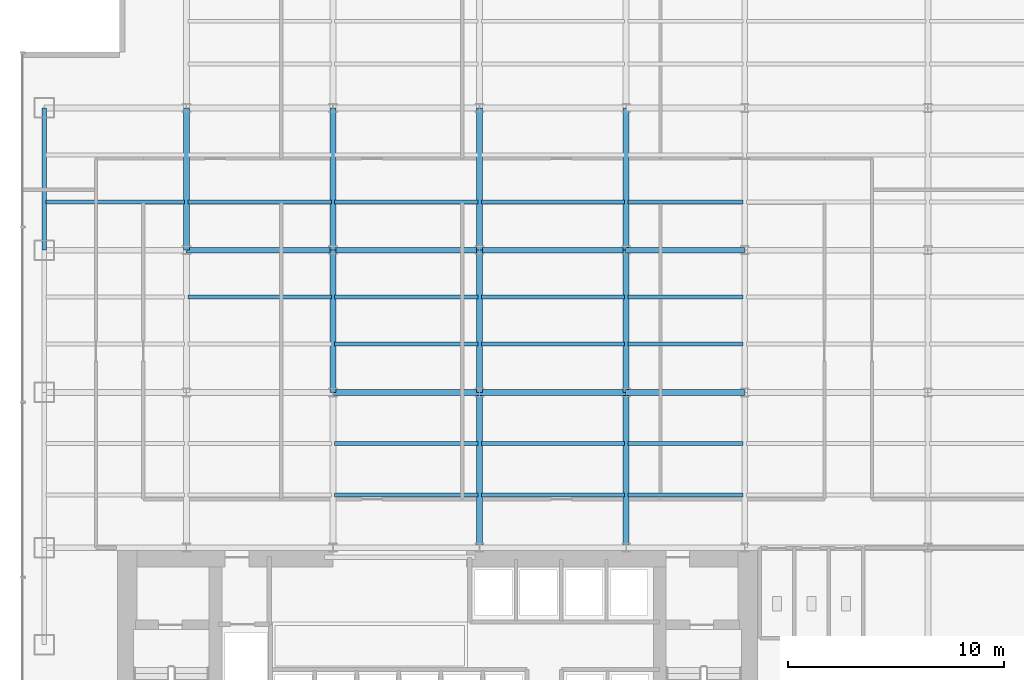
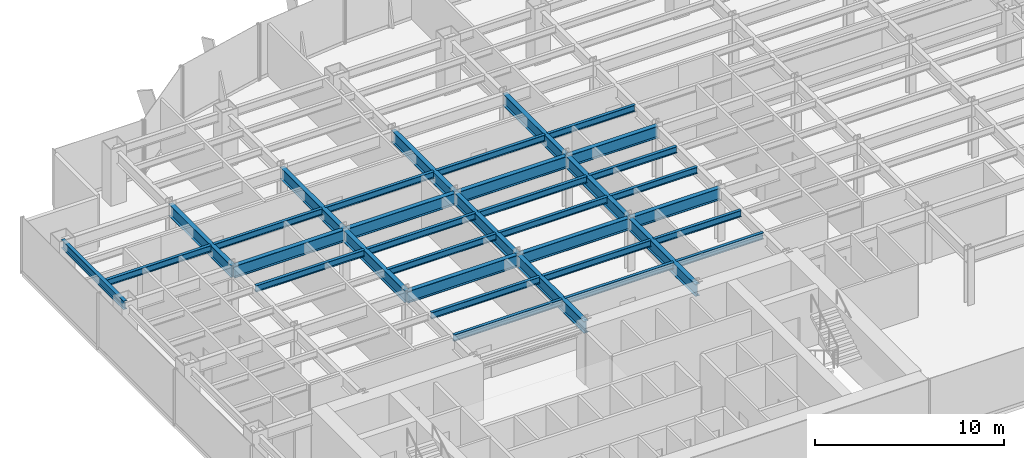
# One storey, part 5 of 22: 35 beams.
"""IFC4 building model written with IfcOpenShell, lengths in metres."""

import ifcopenshell
import ifcopenshell.guid

model = None  # the IFC model being written
_history = None  # IfcOwnerHistory: only IFC2X3 demands one
_inside = {}  # id of a spatial element -> (the spatial element, [elements in it])
_under = {}  # id of a project, library or spatial element -> (it, [spatial elements below it])
_declared = {}  # id of a project -> (the project, [libraries it declares])
_typed = {}  # id of a type object -> (the type object, [elements of that type])
_made_of = {}  # id of a material, layer set ... -> (it, [elements and type objects made of it])


def new_model(schema):
    """Start an empty IFC model of exactly this schema.

    Asked for "IFC4X3", IfcOpenShell would pick the latest addendum, in which some entities
    have other attributes; the version numbers below select the first issue.
    IFC2X3 requires an IfcOwnerHistory on every rooted entity: one is made here for all.
    """
    global model, _history
    if schema == "IFC4X3":
        model = ifcopenshell.file(schema_version=(4, 3, 0, 0))
    else:
        model = ifcopenshell.file(schema=schema)
    _inside.clear()
    _under.clear()
    _declared.clear()
    _typed.clear()
    _made_of.clear()
    _history = None
    if model.schema == "IFC2X3":
        org = make("IfcOrganization", Name="unknown")
        user = make(
            "IfcPersonAndOrganization",
            ThePerson=make("IfcPerson", FamilyName="unknown"),
            TheOrganization=org,
        )
        app = make(
            "IfcApplication",
            ApplicationDeveloper=org,
            Version="unknown",
            ApplicationFullName="unknown",
            ApplicationIdentifier="unknown",
        )
        _history = make(
            "IfcOwnerHistory",
            OwningUser=user,
            OwningApplication=app,
            ChangeAction="ADDED",
            CreationDate=0,
        )
    return model


def make(cls, **values):
    """One entity of the class cls with the attributes given. An attribute that is None is left unset."""
    return model.create_entity(
        cls, **{name: value for name, value in values.items() if value is not None}
    )


def rooted(cls, **values):
    """An entity with a GlobalId (a new one), such as an element, a storey or a relation."""
    return make(cls, GlobalId=ifcopenshell.guid.new(), OwnerHistory=_history, **values)


def si_unit(unit_type, name, prefix=None):
    """IfcSIUnit, for example si_unit("LENGTHUNIT", "METRE", prefix="MILLI")."""
    return make("IfcSIUnit", UnitType=unit_type, Prefix=prefix, Name=name)


def derived_unit(unit_type, elements):
    """IfcDerivedUnit: a product of units, each with its exponent."""
    return make(
        "IfcDerivedUnit",
        Elements=[
            make("IfcDerivedUnitElement", Unit=unit, Exponent=power)
            for unit, power in elements
        ],
        UnitType=unit_type,
    )


def assignment(units):
    """IfcUnitAssignment: the units of a project."""
    return None if units is None else make("IfcUnitAssignment", Units=units)


def point(xyz):
    """IfcCartesianPoint."""
    return None if xyz is None else make("IfcCartesianPoint", Coordinates=xyz)


def direction(xyz):
    """IfcDirection."""
    return None if xyz is None else make("IfcDirection", DirectionRatios=xyz)


def frame(location, z_axis=None, x_axis=None):
    """IfcAxis2Placement3D, a coordinate frame: its origin and axes. An axis left out is left unset."""
    return make(
        "IfcAxis2Placement3D",
        Location=point(location),
        Axis=direction(z_axis),
        RefDirection=direction(x_axis),
    )


def frame_2d(location, x_axis=None):
    """IfcAxis2Placement2D, a coordinate frame in the plane: its origin and x axis."""
    return make(
        "IfcAxis2Placement2D", Location=point(location), RefDirection=direction(x_axis)
    )


def origin():
    """The frame at (0, 0, 0) with its axes left unset."""
    return frame((0.0, 0.0, 0.0))


def origin_2d():
    """The frame at (0, 0) in the plane with its x axis left unset."""
    return frame_2d((0.0, 0.0))


def place(relative_to, where):
    """IfcLocalPlacement: puts the frame where relative to a parent placement (None: the world)."""
    return make(
        "IfcLocalPlacement", PlacementRelTo=relative_to, RelativePlacement=where
    )


def context(
    kind, dimensions, precision=None, world=None, true_north=None, identifier=None
):
    """IfcGeometricRepresentationContext, for example the 3D "Model" context."""
    return make(
        "IfcGeometricRepresentationContext",
        ContextIdentifier=identifier,
        ContextType=kind,
        CoordinateSpaceDimension=dimensions,
        Precision=precision,
        WorldCoordinateSystem=world,
        TrueNorth=true_north,
    )


def subcontext(parent, identifier, kind, view, scale=None):
    """IfcGeometricRepresentationSubContext, for example "Body" below "Model"."""
    return make(
        "IfcGeometricRepresentationSubContext",
        ContextIdentifier=identifier,
        ContextType=kind,
        ParentContext=parent,
        TargetScale=scale,
        TargetView=view,
    )


def project(units=None, contexts=None):
    """IfcProject with its units and contexts."""
    return rooted(
        "IfcProject",
        Name="project",
        RepresentationContexts=contexts,
        UnitsInContext=assignment(units),
    )


def spatial(cls, under=None, at=None, **own):
    """A site, building, storey or space (cls), placed at a placement, below another one or the project."""
    s = rooted(cls, ObjectPlacement=at, **own)
    if under is not None:
        _under.setdefault(under.id(), (under, []))[1].append(s)
    return s


def profile(cls, at=None, kind="AREA", **sizes):
    """A parametric profile (cls). Its sizes go by their IFC names, for example OverallWidth=200.0."""
    return make(cls, ProfileType=kind, Position=at, **sizes)


def i_section(**sizes):
    """IfcIShapeProfileDef."""
    return profile("IfcIShapeProfileDef", **sizes)


def extrude(swept, where, along, depth):
    """IfcExtrudedAreaSolid: the profile swept, set in the frame where, extruded along a direction by depth."""
    return make(
        "IfcExtrudedAreaSolid",
        SweptArea=swept,
        Position=where,
        ExtrudedDirection=direction(along),
        Depth=depth,
    )


def shape(context_of_items, identifier, shape_type, items):
    """IfcShapeRepresentation: the items that make up one representation, for example the "Body"."""
    return make(
        "IfcShapeRepresentation",
        ContextOfItems=context_of_items,
        RepresentationIdentifier=identifier,
        RepresentationType=shape_type,
        Items=items,
    )


def source(mapping_origin, context_of_items, identifier, shape_type, items):
    """IfcRepresentationMap: a shape defined once, which mapped items show again and again."""
    return make(
        "IfcRepresentationMap",
        MappingOrigin=mapping_origin,
        MappedRepresentation=shape(context_of_items, identifier, shape_type, items),
    )


def transform(
    local_origin,
    x_axis=None,
    y_axis=None,
    z_axis=None,
    scale=None,
    scale2=None,
    scale3=None,
    uniform=True,
):
    """IfcCartesianTransformationOperator3D, or its non-uniform kind. x_axis, y_axis, z_axis: its Axis1, 2, 3."""
    if uniform:
        return make(
            "IfcCartesianTransformationOperator3D",
            Axis1=direction(x_axis),
            Axis2=direction(y_axis),
            LocalOrigin=point(local_origin),
            Scale=scale,
            Axis3=direction(z_axis),
        )
    return make(
        "IfcCartesianTransformationOperator3DnonUniform",
        Axis1=direction(x_axis),
        Axis2=direction(y_axis),
        LocalOrigin=point(local_origin),
        Scale=scale,
        Axis3=direction(z_axis),
        Scale2=scale2,
        Scale3=scale3,
    )


def mapped(mapping_source, mapping_target):
    """IfcMappedItem: shows the shape of a source again, moved by a transform."""
    return make(
        "IfcMappedItem", MappingSource=mapping_source, MappingTarget=mapping_target
    )


def material(Name=None, Category=None):
    """IfcMaterial."""
    return make("IfcMaterial", Name=Name, Category=Category)


def material_profile(
    of_material, cross_section, Name=None, Category=None, Priority=None
):
    """IfcMaterialProfile: a cross section and its material."""
    return make(
        "IfcMaterialProfile",
        Name=Name,
        Material=of_material,
        Profile=cross_section,
        Priority=Priority,
        Category=Category,
    )


def profile_set(profiles, Name=None, composite=None):
    """IfcMaterialProfileSet."""
    return make(
        "IfcMaterialProfileSet",
        Name=Name,
        MaterialProfiles=profiles,
        CompositeProfile=composite,
    )


def made_of(thing, what):
    """Note that an element or type object is made of a material, layer set ...; save() writes the relation."""
    if what is not None:
        _made_of.setdefault(what.id(), (what, []))[1].append(thing)
    return thing


def type_object(cls, material=None, **own):
    """A type object (cls), such as IfcWallType, which elements share."""
    return made_of(rooted(cls, **own), material)


def element(
    cls,
    number,
    at=None,
    inside=None,
    cuts=None,
    type_object=None,
    material=None,
    context=None,
    identifier="Body",
    shape_type=None,
    held_by="IfcProductDefinitionShape",
    body=None,
    shapes=None,
    **own,
):
    """One element of the class cls, such as IfcWall. Its Tag is "e" and its number.

    at: its placement. inside: the storey or other place that contains it. cuts: it is an
    opening in that element (IfcRelVoidsElement). A single representation is given by context,
    identifier, shape_type and body (its items); several are given by shapes. held_by: the class
    of the entity that holds the representations. save() writes the other relations.
    """
    e = rooted(cls, Tag="e%d" % number, ObjectPlacement=at, **own)
    if body is not None:
        shapes = [shape(context, identifier, shape_type, body)]
    if shapes is not None:
        e.Representation = make(held_by, Representations=shapes)
    if inside is not None:
        _inside.setdefault(inside.id(), (inside, []))[1].append(e)
    if cuts is not None:
        rooted(
            "IfcRelVoidsElement", RelatingBuildingElement=cuts, RelatedOpeningElement=e
        )
    if type_object is not None:
        _typed.setdefault(type_object.id(), (type_object, []))[1].append(e)
    return made_of(e, material)


def aggregate(whole, parts):
    """IfcRelAggregates: a whole, such as a stair, and the parts it consists of."""
    return rooted("IfcRelAggregates", RelatingObject=whole, RelatedObjects=parts)


def save(model, path):
    """Write the relations noted so far, then the file.

    IfcRelAggregates (storeys below a building ...), IfcRelContainedInSpatialStructure (elements
    in a storey), IfcRelDefinesByType, IfcRelAssociatesMaterial and IfcRelDeclares: one each for
    every whole, place, type object, material and project.
    """
    for whole, parts in _under.values():
        aggregate(whole, parts)
    for where, things in _inside.values():
        rooted(
            "IfcRelContainedInSpatialStructure",
            RelatedElements=things,
            RelatingStructure=where,
        )
    for kind, things in _typed.values():
        rooted("IfcRelDefinesByType", RelatedObjects=things, RelatingType=kind)
    for what, things in _made_of.values():
        rooted("IfcRelAssociatesMaterial", RelatedObjects=things, RelatingMaterial=what)
    for by, libraries in _declared.values():
        rooted("IfcRelDeclares", RelatingContext=by, RelatedDefinitions=libraries)
    model.write(path)


model = new_model("IFC4")

# Units and contexts
model_context = context("Model", 3, precision=1e-05, world=origin(), true_north=direction((0.0, 1.0)))
body_context = subcontext(model_context, "Body", "Model", "MODEL_VIEW")
ifc_project = project(units=[si_unit("LENGTHUNIT", "METRE"), si_unit("AREAUNIT", "SQUARE_METRE"), si_unit("VOLUMEUNIT", "CUBIC_METRE"), si_unit("PLANEANGLEUNIT", "RADIAN"), si_unit("MASSUNIT", "GRAM", prefix="KILO"), derived_unit("THERMALTRANSMITTANCEUNIT", [(si_unit("POWERUNIT", "WATT"), 1), (si_unit("LENGTHUNIT", "METRE"), -2), (si_unit("THERMODYNAMICTEMPERATUREUNIT", "KELVIN"), -1)])], contexts=[model_context])

# Site, building, storey
site_placement = place(None, origin())
site = spatial("IfcSite", under=ifc_project, at=site_placement, CompositionType="ELEMENT")
building_placement = place(site_placement, origin())
building = spatial("IfcBuilding", under=site, at=building_placement, Name="Skarnbrae Concourse Arena and Tower", CompositionType="ELEMENT")
storey_placement = place(building_placement, frame((0.0, 0.0, 65.35009765625)))
storey = spatial("IfcBuildingStorey", under=building, at=storey_placement, Name="L15", CompositionType="ELEMENT", Elevation=65.35009765625)

# Beams
ifc_material = material(Name="Steel CSA G40.21 350W", Category="steel")
ifc_material_profile_1 = material_profile(ifc_material, i_section(OverallWidth=0.26806640625, OverallDepth=0.77001953125, WebThickness=0.015625, FlangeThickness=0.025390625, at=origin_2d()), Name="W760X196")
ifc_profile_set_1 = profile_set([ifc_material_profile_1], Name="Steel CSA G40.21 350W")
beam_type_1 = type_object("IfcBeamType", Name="BM-GIRD-W760X196", PredefinedType="BEAM", material=ifc_profile_set_1)
shared_shape_1 = source(origin(), body_context, "Body", "SweptSolid", [
    extrude(i_section(OverallWidth=0.26806640625, OverallDepth=0.77001953125, WebThickness=0.015625, FlangeThickness=0.025390625, at=origin_2d()), origin(), (0.0, 0.0, 1.0), 6.60009765625),
])
for number, where, z_axis, x_axis, name in (
    (1, (14.39990234375, 21.199951171875, 3.014892578125), (0.0, 1.0, 0.0), (-1.0, 0.0, 0.0), "L15 Primary N-S girder X14.4-2"),
    (2, (21.199951171875, 21.199951171875, 3.014892578125), (0.0, 1.0, 0.0), (-1.0, 0.0, 0.0), "L15 Primary N-S girder X21.2-2"),
    (3, (28.0, 21.199951171875, 3.014892578125), (0.0, 1.0, 0.0), (-1.0, 0.0, 0.0), "L15 Primary N-S girder X28.0-2"),
):
    element("IfcBeam", number, at=place(storey_placement, frame(where, z_axis=z_axis, x_axis=x_axis)), inside=storey, type_object=beam_type_1, Name=name, PredefinedType="BEAM", context=body_context, shape_type="MappedRepresentation", body=[
        mapped(shared_shape_1, transform((0.0, 0.0, 0.0))),
    ])
shared_shape_2 = source(origin(), body_context, "Body", "SweptSolid", [
    extrude(i_section(OverallWidth=0.26806640625, OverallDepth=0.77001953125, WebThickness=0.015625, FlangeThickness=0.025390625, at=origin_2d()), origin(), (0.0, 0.0, 1.0), 6.7998046875),
])
beam_1_placement = place(storey_placement, frame((7.60009765625, 27.800048828125, 3.014892578125), z_axis=(1.0, 0.0, 0.0), x_axis=(0.0, 1.0, 0.0)))
element("IfcBeam", 4, at=beam_1_placement, inside=storey, type_object=beam_type_1, Name="L15 Primary E-W girder Y27.8-2", PredefinedType="BEAM", context=body_context, shape_type="MappedRepresentation", body=[
    mapped(shared_shape_2, transform((0.0, 0.0, 0.0))),
])
shared_shape_3 = source(origin(), body_context, "Body", "SweptSolid", [
    extrude(i_section(OverallWidth=0.26806640625, OverallDepth=0.77001953125, WebThickness=0.015625, FlangeThickness=0.025390625, at=origin_2d()), origin(), (0.0, 0.0, 1.0), 6.800048828125),
])
for number, where, z_axis, x_axis, name in (
    (5, (14.39990234375, 21.199951171875, 3.014892578125), (1.0, 0.0, 0.0), (0.0, 1.0, 0.0), "L15 Primary E-W girder Y21.2-3"),
    (6, (21.199951171875, 21.199951171875, 3.014892578125), (1.0, 0.0, 0.0), (0.0, 1.0, 0.0), "L15 Primary E-W girder Y21.2-4"),
    (7, (14.39990234375, 27.800048828125, 3.014892578125), (1.0, 0.0, 0.0), (0.0, 1.0, 0.0), "L15 Primary E-W girder Y27.8-3"),
    (8, (21.199951171875, 27.800048828125, 3.014892578125), (1.0, 0.0, 0.0), (0.0, 1.0, 0.0), "L15 Primary E-W girder Y27.8-4"),
):
    element("IfcBeam", number, at=place(storey_placement, frame(where, z_axis=z_axis, x_axis=x_axis)), inside=storey, type_object=beam_type_1, Name=name, PredefinedType="BEAM", context=body_context, shape_type="MappedRepresentation", body=[
        mapped(shared_shape_3, transform((0.0, 0.0, 0.0))),
    ])
shared_shape_4 = source(origin(), body_context, "Body", "SweptSolid", [
    extrude(i_section(OverallWidth=0.26806640625, OverallDepth=0.77001953125, WebThickness=0.015625, FlangeThickness=0.025390625, at=origin_2d()), origin(), (0.0, 0.0, 1.0), 5.5),
])
for number, where, z_axis, x_axis, name in (
    (9, (28.0, 21.199951171875, 3.014892578125), (1.0, 0.0, 0.0), (0.0, 1.0, 0.0), "L15 Primary E-W girder Y21.2-5"),
    (10, (28.0, 27.800048828125, 3.014892578125), (1.0, 0.0, 0.0), (0.0, 1.0, 0.0), "L15 Primary E-W girder Y27.8-5"),
):
    element("IfcBeam", number, at=place(storey_placement, frame(where, z_axis=z_axis, x_axis=x_axis)), inside=storey, type_object=beam_type_1, Name=name, PredefinedType="BEAM", context=body_context, shape_type="MappedRepresentation", body=[
        mapped(shared_shape_4, transform((0.0, 0.0, 0.0))),
    ])
ifc_material_profile_2 = material_profile(ifc_material, i_section(OverallWidth=0.214111328125, OverallDepth=0.549072265625, WebThickness=0.0146484375, FlangeThickness=0.023681640625, at=origin_2d()), Name="W530X138")
ifc_profile_set_2 = profile_set([ifc_material_profile_2], Name="Steel CSA G40.21 350W")
beam_type_2 = type_object("IfcBeamType", Name="BM-SPAN-W530X138", PredefinedType="SPANDREL", material=ifc_profile_set_2)
shared_shape_5 = source(origin(), body_context, "Body", "SweptSolid", [
    extrude(i_section(OverallWidth=0.214111328125, OverallDepth=0.549072265625, WebThickness=0.0146484375, FlangeThickness=0.023681640625, at=origin_2d()), origin(), (0.0, 0.0, 1.0), 6.599853515625),
])
beam_2_placement = place(storey_placement, frame((1.0, 27.800048828125, 3.12548828125), z_axis=(0.0, 1.0, 0.0), x_axis=(-1.0, 0.0, 0.0)))
element("IfcBeam", 11, at=beam_2_placement, inside=storey, type_object=beam_type_2, Name="L15 Perimeter spandrel X1.0-4", PredefinedType="SPANDREL", context=body_context, shape_type="MappedRepresentation", body=[
    mapped(shared_shape_5, transform((0.0, 0.0, 0.0))),
])
shared_shape_6 = source(origin(), body_context, "Body", "SweptSolid", [
    extrude(i_section(OverallWidth=0.26806640625, OverallDepth=0.77001953125, WebThickness=0.015625, FlangeThickness=0.025390625, at=origin_2d()), origin(), (0.0, 0.0, 1.0), 7.199951171875),
])
for number, where, z_axis, x_axis, name in (
    (12, (21.199951171875, 14.0, 3.014892578125), (0.0, 1.0, 0.0), (-1.0, 0.0, 0.0), "L15 Primary N-S girder X21.2-1"),
    (13, (28.0, 14.0, 3.014892578125), (0.0, 1.0, 0.0), (-1.0, 0.0, 0.0), "L15 Primary N-S girder X28.0-1"),
):
    element("IfcBeam", number, at=place(storey_placement, frame(where, z_axis=z_axis, x_axis=x_axis)), inside=storey, type_object=beam_type_1, Name=name, PredefinedType="BEAM", context=body_context, shape_type="MappedRepresentation", body=[
        mapped(shared_shape_6, transform((0.0, 0.0, 0.0))),
    ])
shared_shape_7 = source(origin(), body_context, "Body", "SweptSolid", [
    extrude(i_section(OverallWidth=0.26806640625, OverallDepth=0.77001953125, WebThickness=0.015625, FlangeThickness=0.025390625, at=origin_2d()), origin(), (0.0, 0.0, 1.0), 6.599853515625),
])
for number, where, z_axis, x_axis, name in (
    (14, (7.60009765625, 27.800048828125, 3.014892578125), (0.0, 1.0, 0.0), (-1.0, 0.0, 0.0), "L15 Primary N-S girder X7.6-3"),
    (15, (14.39990234375, 27.800048828125, 3.014892578125), (0.0, 1.0, 0.0), (-1.0, 0.0, 0.0), "L15 Primary N-S girder X14.4-3"),
    (16, (21.199951171875, 27.800048828125, 3.014892578125), (0.0, 1.0, 0.0), (-1.0, 0.0, 0.0), "L15 Primary N-S girder X21.2-3"),
    (17, (28.0, 27.800048828125, 3.014892578125), (0.0, 1.0, 0.0), (-1.0, 0.0, 0.0), "L15 Primary N-S girder X28.0-3"),
):
    element("IfcBeam", number, at=place(storey_placement, frame(where, z_axis=z_axis, x_axis=x_axis)), inside=storey, type_object=beam_type_1, Name=name, PredefinedType="BEAM", context=body_context, shape_type="MappedRepresentation", body=[
        mapped(shared_shape_7, transform((0.0, 0.0, 0.0))),
    ])
ifc_material_profile_3 = material_profile(ifc_material, i_section(OverallWidth=0.180908203125, OverallDepth=0.4169921875, WebThickness=0.010986328125, FlangeThickness=0.018310546875, at=origin_2d()), Name="W410X85")
ifc_profile_set_3 = profile_set([ifc_material_profile_3], Name="Steel CSA G40.21 350W")
beam_type_3 = type_object("IfcBeamType", Name="BM-JOIST-W410X85", PredefinedType="JOIST", material=ifc_profile_set_3)
shared_shape_8 = source(origin(), body_context, "Body", "SweptSolid", [
    extrude(i_section(OverallWidth=0.180908203125, OverallDepth=0.4169921875, WebThickness=0.010986328125, FlangeThickness=0.018310546875, at=origin_2d()), origin(), (0.0, 0.0, 1.0), 6.43994140625),
])
beam_3_placement = place(storey_placement, frame((1.080078125, 30.0439453125, 3.19140625), z_axis=(1.0, 0.0, 0.0), x_axis=(0.0, 1.0, 0.0)))
element("IfcBeam", 18, at=beam_3_placement, inside=storey, type_object=beam_type_3, Name="L15 Secondary floor joist 3.1.1", PredefinedType="JOIST", context=body_context, shape_type="MappedRepresentation", body=[
    mapped(shared_shape_8, transform((0.0, 0.0, 0.0))),
])
shared_shape_9 = source(origin(), body_context, "Body", "SweptSolid", [
    extrude(i_section(OverallWidth=0.180908203125, OverallDepth=0.4169921875, WebThickness=0.010986328125, FlangeThickness=0.018310546875, at=origin_2d()), origin(), (0.0, 0.0, 1.0), 6.64013671875),
])
for number, where, z_axis, x_axis, name in (
    (19, (14.47998046875, 16.447998046875, 3.19140625), (1.0, 0.0, 0.0), (0.0, 1.0, 0.0), "L15 Secondary floor joist 1.1.3"),
    (20, (14.47998046875, 18.823974609375, 3.19140625), (1.0, 0.0, 0.0), (0.0, 1.0, 0.0), "L15 Secondary floor joist 1.2.3"),
    (21, (14.47998046875, 23.444091796875, 3.19140625), (1.0, 0.0, 0.0), (0.0, 1.0, 0.0), "L15 Secondary floor joist 2.1.3"),
    (22, (7.679931640625, 25.6220703125, 3.19140625), (1.0, 0.0, 0.0), (0.0, 1.0, 0.0), "L15 Secondary floor joist 2.2.2"),
    (23, (14.47998046875, 25.6220703125, 3.19140625), (1.0, 0.0, 0.0), (0.0, 1.0, 0.0), "L15 Secondary floor joist 2.2.3"),
    (24, (7.679931640625, 30.0439453125, 3.19140625), (1.0, 0.0, 0.0), (0.0, 1.0, 0.0), "L15 Secondary floor joist 3.1.2"),
    (25, (14.47998046875, 30.0439453125, 3.19140625), (1.0, 0.0, 0.0), (0.0, 1.0, 0.0), "L15 Secondary floor joist 3.1.3"),
):
    element("IfcBeam", number, at=place(storey_placement, frame(where, z_axis=z_axis, x_axis=x_axis)), inside=storey, type_object=beam_type_3, Name=name, PredefinedType="JOIST", context=body_context, shape_type="MappedRepresentation", body=[
        mapped(shared_shape_9, transform((0.0, 0.0, 0.0))),
    ])
shared_shape_10 = source(origin(), body_context, "Body", "SweptSolid", [
    extrude(i_section(OverallWidth=0.180908203125, OverallDepth=0.4169921875, WebThickness=0.010986328125, FlangeThickness=0.018310546875, at=origin_2d()), origin(), (0.0, 0.0, 1.0), 6.639892578125),
])
for number, where, z_axis, x_axis, name in (
    (26, (21.280029296875, 16.447998046875, 3.19140625), (1.0, 0.0, 0.0), (0.0, 1.0, 0.0), "L15 Secondary floor joist 1.1.4"),
    (27, (21.280029296875, 18.823974609375, 3.19140625), (1.0, 0.0, 0.0), (0.0, 1.0, 0.0), "L15 Secondary floor joist 1.2.4"),
    (28, (21.280029296875, 23.444091796875, 3.19140625), (1.0, 0.0, 0.0), (0.0, 1.0, 0.0), "L15 Secondary floor joist 2.1.4"),
    (29, (21.280029296875, 25.6220703125, 3.19140625), (1.0, 0.0, 0.0), (0.0, 1.0, 0.0), "L15 Secondary floor joist 2.2.4"),
    (30, (21.280029296875, 30.0439453125, 3.19140625), (1.0, 0.0, 0.0), (0.0, 1.0, 0.0), "L15 Secondary floor joist 3.1.4"),
):
    element("IfcBeam", number, at=place(storey_placement, frame(where, z_axis=z_axis, x_axis=x_axis)), inside=storey, type_object=beam_type_3, Name=name, PredefinedType="JOIST", context=body_context, shape_type="MappedRepresentation", body=[
        mapped(shared_shape_10, transform((0.0, 0.0, 0.0))),
    ])
shared_shape_11 = source(origin(), body_context, "Body", "SweptSolid", [
    extrude(i_section(OverallWidth=0.180908203125, OverallDepth=0.4169921875, WebThickness=0.010986328125, FlangeThickness=0.018310546875, at=origin_2d()), origin(), (0.0, 0.0, 1.0), 5.33984375),
])
for number, where, z_axis, x_axis, name in (
    (31, (28.080078125, 16.447998046875, 3.19140625), (1.0, 0.0, 0.0), (0.0, 1.0, 0.0), "L15 Secondary floor joist 1.1.5"),
    (32, (28.080078125, 18.823974609375, 3.19140625), (1.0, 0.0, 0.0), (0.0, 1.0, 0.0), "L15 Secondary floor joist 1.2.5"),
    (33, (28.080078125, 23.444091796875, 3.19140625), (1.0, 0.0, 0.0), (0.0, 1.0, 0.0), "L15 Secondary floor joist 2.1.5"),
    (34, (28.080078125, 25.6220703125, 3.19140625), (1.0, 0.0, 0.0), (0.0, 1.0, 0.0), "L15 Secondary floor joist 2.2.5"),
    (35, (28.080078125, 30.0439453125, 3.19140625), (1.0, 0.0, 0.0), (0.0, 1.0, 0.0), "L15 Secondary floor joist 3.1.5"),
):
    element("IfcBeam", number, at=place(storey_placement, frame(where, z_axis=z_axis, x_axis=x_axis)), inside=storey, type_object=beam_type_3, Name=name, PredefinedType="JOIST", context=body_context, shape_type="MappedRepresentation", body=[
        mapped(shared_shape_11, transform((0.0, 0.0, 0.0))),
    ])

save(model, "model.ifc")
